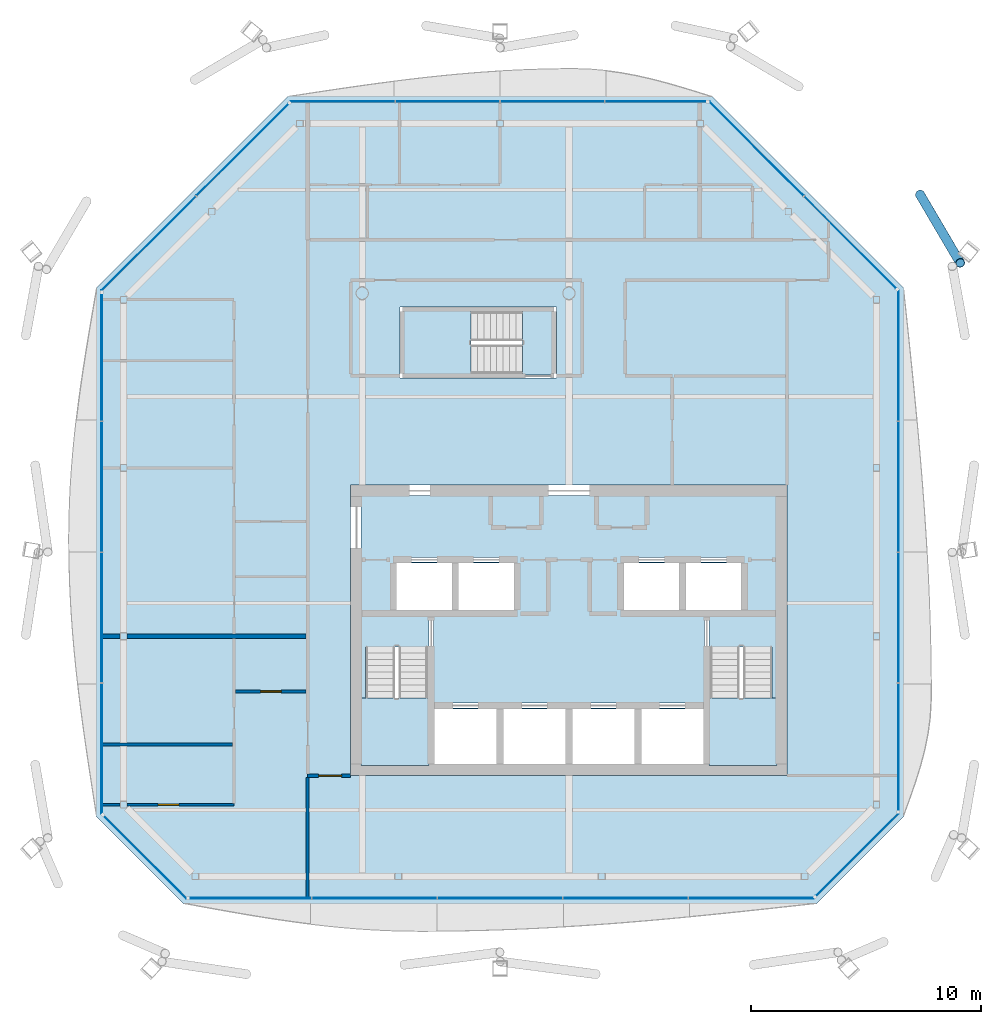
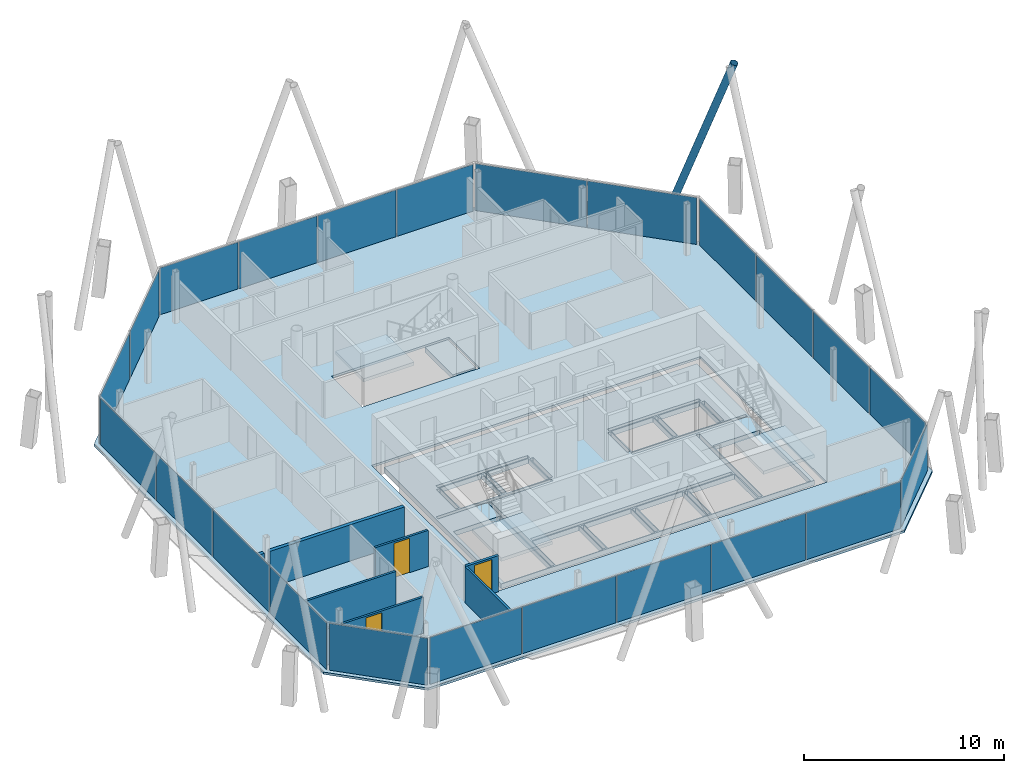
# One storey, part 9 of 16: 23 plates, 8 walls, 6 slabs, 3 doors, 1 member, 3 openings, 11 elements without a shape of their own.
"""IFC4 building model written with IfcOpenShell, lengths in metres."""

from ifc_helpers import new_model, si_unit, direction, frame, frame_2d, origin, origin_2d, place, context, subcontext, project, spatial, polyline, rectangle, hollow_circle, outline, extrude, material, layer, layer_set, material_profile, profile_set, type_object, element, fill, aggregate, save


model = new_model("IFC4")

# Units and contexts
model_context = context("Model", 3, precision=1e-05, world=origin(), true_north=direction((0.0, 1.0)))
body_context = subcontext(model_context, "Body", "Model", "MODEL_VIEW")
ifc_project = project(units=[si_unit("LENGTHUNIT", "METRE"), si_unit("AREAUNIT", "SQUARE_METRE"), si_unit("VOLUMEUNIT", "CUBIC_METRE"), si_unit("PLANEANGLEUNIT", "RADIAN"), si_unit("MASSUNIT", "GRAM", prefix="KILO")], contexts=[model_context])

# Site, building, storey
site_placement = place(None, origin())
site = spatial("IfcSite", under=ifc_project, at=site_placement, CompositionType="ELEMENT")
building_placement = place(site_placement, origin())
building = spatial("IfcBuilding", under=site, at=building_placement, Name="Tskaro Facet Tower", CompositionType="ELEMENT")
storey_placement = place(building_placement, frame((0.0, 0.0, 245.550048828125)))
storey = spatial("IfcBuildingStorey", under=building, at=storey_placement, Name="L64", CompositionType="ELEMENT", Elevation=245.550048828125)

# Member
ifc_material_1 = material(Name="Steel S355J2H", Category="steel")
ifc_material_profile = material_profile(ifc_material_1, hollow_circle(Radius=0.203125, WallThickness=0.02001953125, at=origin_2d()), Name="CHS 406.4x20")
ifc_profile_set = profile_set([ifc_material_profile], Name="Steel S355J2H")
member_type = type_object("IfcMemberType", Name="CHS 406.4x20 brace", PredefinedType="BRACE", material=ifc_profile_set)
member_placement = place(storey_placement, frame((15.286865234375, 13.296875, 0.0), z_axis=(0.173911453254, -0.295918818534, 0.939248028619), x_axis=(0.86213587545, 0.506677147958, 0.0)))
element("IfcMember", 1, at=member_placement, inside=storey, type_object=member_type, Name="CHS 406.4x20 XB06B/5", PredefinedType="BRACE", context=body_context, shape_type="SweptSolid", body=[
    extrude(hollow_circle(Radius=0.203125, WallThickness=0.02001953125, at=origin_2d()), origin(), (0.0, 0.0, 1.0), 10.061279296875),
])

# Slab
ifc_material_2 = material(Name="Concrete C30/37", Category="concrete")
ifc_layer_1 = layer(ifc_material_2, 0.139892578125, Name="Concrete C30/37")
ifc_layer_set_1 = layer_set([ifc_layer_1], Name="Concrete C30/37")
slab_type_1 = type_object("IfcSlabType", Name="Composite deck floor slab", PredefinedType="FLOOR", material=ifc_layer_set_1)
slab_1_placement = place(storey_placement, frame((0.0, 0.0, -0.14013671875)))
element("IfcSlab", 2, at=slab_1_placement, inside=storey, type_object=slab_type_1, Name="Floor slab FS3 L64", PredefinedType="FLOOR", context=body_context, shape_type="SweptSolid", body=[
    extrude(outline(polyline([(-16.764892578125, -17.591064453125), (10.764892578125, -17.591064453125), (14.591064453125, -13.764892578125), (14.591064453125, 9.221923828125), (6.221923828125, 17.591064453125), (-12.221923828125, 17.591064453125), (-20.591064453125, 9.221923828125), (-20.591064453125, -13.764892578125), (-16.764892578125, -17.591064453125)]), holes=[polyline([(-9.5, -12.0), (9.5, -12.0), (9.5, 0.64990234375), (-9.5, 0.64990234375), (-9.5, -12.0)]), polyline([(-7.35009765625, 5.300048828125), (-0.550048828125, 5.300048828125), (-0.550048828125, 8.39990234375), (-7.35009765625, 8.39990234375), (-7.35009765625, 5.300048828125)])]), origin(), (0.0, 0.0, 1.0), 0.14013671875),
])

# Curtain wall, plates
ifc_material_3 = material(Name="Bronze anodised aluminium 6063-T6", Category="aluminium")
curtain_wall_type = type_object("IfcCurtainWallType", Name="Bronze residence curtain wall (FW3)", PredefinedType="NOTDEFINED", material=ifc_material_3)
curtain_wall_1_placement = place(storey_placement, origin())
curtain_wall_1 = element("IfcCurtainWall", 3, at=curtain_wall_1_placement, inside=storey, type_object=curtain_wall_type, Name="FW3 south facet L64", PredefinedType="NOTDEFINED")
ifc_material_4 = material(Name="Bronze low-iron glass", Category="glass")
ifc_layer_2 = layer(ifc_material_4, 0.028076171875, Name="Bronze low-iron glass")
ifc_layer_set_2 = layer_set([ifc_layer_2], Name="Bronze low-iron glass")
plate_type = type_object("IfcPlateType", Name="FW3 bronze-tinted unit glazing 28", PredefinedType="CURTAIN_PANEL", material=ifc_layer_set_2)
plate_1_placement = place(storey_placement, frame((-13.871337890625, -17.341064453125, 0.0), z_axis=(0.0, 0.0, 1.0), x_axis=(1.0, 0.0, 0.0)))
plate_1 = element("IfcPlate", 4, at=plate_1_placement, type_object=plate_type, Name="FW3 south glazing 1.1", PredefinedType="CURTAIN_PANEL", context=body_context, shape_type="SweptSolid", body=[
    extrude(rectangle(XDim=5.29931640625, YDim=0.028076171875, at=origin_2d()), origin(), (0.0, 0.0, 1.0), 2.860107421875),
])
plate_2_placement = place(storey_placement, frame((-8.46435546875, -17.341064453125, 0.0), z_axis=(0.0, 0.0, 1.0), x_axis=(1.0, 0.0, 0.0)))
plate_2 = element("IfcPlate", 5, at=plate_2_placement, type_object=plate_type, Name="FW3 south glazing 2.1", PredefinedType="CURTAIN_PANEL", context=body_context, shape_type="SweptSolid", body=[
    extrude(rectangle(XDim=5.414306640625, YDim=0.028076171875, at=origin_2d()), origin(), (0.0, 0.0, 1.0), 2.860107421875),
])
plate_3_placement = place(storey_placement, frame((-3.0, -17.341064453125, 0.0), z_axis=(0.0, 0.0, 1.0), x_axis=(1.0, 0.0, 0.0)))
plate_3 = element("IfcPlate", 6, at=plate_3_placement, type_object=plate_type, Name="FW3 south glazing 3.1", PredefinedType="CURTAIN_PANEL", context=body_context, shape_type="SweptSolid", body=[
    extrude(rectangle(XDim=5.414306640625, YDim=0.028076171875, at=origin_2d()), origin(), (0.0, 0.0, 1.0), 2.860107421875),
])
plate_4_placement = place(storey_placement, frame((2.46435546875, -17.341064453125, 0.0), z_axis=(0.0, 0.0, 1.0), x_axis=(1.0, 0.0, 0.0)))
plate_4 = element("IfcPlate", 7, at=plate_4_placement, type_object=plate_type, Name="FW3 south glazing 4.1", PredefinedType="CURTAIN_PANEL", context=body_context, shape_type="SweptSolid", body=[
    extrude(rectangle(XDim=5.414306640625, YDim=0.028076171875, at=origin_2d()), origin(), (0.0, 0.0, 1.0), 2.860107421875),
])
plate_5_placement = place(storey_placement, frame((7.94140625, -17.341064453125, 0.0), z_axis=(0.0, 0.0, 1.0), x_axis=(1.0, 0.0, 0.0)))
plate_5 = element("IfcPlate", 8, at=plate_5_placement, type_object=plate_type, Name="FW3 south glazing 5.1", PredefinedType="CURTAIN_PANEL", context=body_context, shape_type="SweptSolid", body=[
    extrude(rectangle(XDim=5.439453125, YDim=0.028076171875, at=origin_2d()), origin(), (0.0, 0.0, 1.0), 2.860107421875),
])
aggregate(curtain_wall_1, [plate_1, plate_2, plate_3, plate_4, plate_5])

# Curtain wall, plate
curtain_wall_2_placement = place(storey_placement, origin())
curtain_wall_2 = element("IfcCurtainWall", 9, at=curtain_wall_2_placement, inside=storey, type_object=curtain_wall_type, Name="FW3 south-east facet L64", PredefinedType="NOTDEFINED")
plate_6_placement = place(storey_placement, frame((12.550537109375, -15.451416015625, 0.0), z_axis=(0.0, 0.0, 1.0), x_axis=(0.707106781187, 0.707106781187, 0.0)))
plate_6 = element("IfcPlate", 10, at=plate_6_placement, type_object=plate_type, Name="FW3 south-east glazing 1.1", PredefinedType="CURTAIN_PANEL", context=body_context, shape_type="SweptSolid", body=[
    extrude(rectangle(XDim=5.064208984375, YDim=0.028076171875, at=origin_2d()), origin(), (0.0, 0.0, 1.0), 2.860107421875),
])
aggregate(curtain_wall_2, [plate_6])

# Curtain wall, plates
curtain_wall_3_placement = place(storey_placement, origin())
curtain_wall_3 = element("IfcCurtainWall", 11, at=curtain_wall_3_placement, inside=storey, type_object=curtain_wall_type, Name="FW3 east facet L64", PredefinedType="NOTDEFINED")
plate_7_placement = place(storey_placement, frame((14.341064453125, -10.756103515625, 0.0), z_axis=(0.0, 0.0, 1.0), x_axis=(0.0, 1.0, 0.0)))
plate_7 = element("IfcPlate", 12, at=plate_7_placement, type_object=plate_type, Name="FW3 east glazing 1.1", PredefinedType="CURTAIN_PANEL", context=body_context, shape_type="SweptSolid", body=[
    extrude(rectangle(XDim=5.52978515625, YDim=0.028076171875, at=origin_2d()), origin(), (0.0, 0.0, 1.0), 2.860107421875),
])
plate_8_placement = place(storey_placement, frame((14.341064453125, -5.118896484375, 0.0), z_axis=(0.0, 0.0, 1.0), x_axis=(0.0, 1.0, 0.0)))
plate_8 = element("IfcPlate", 13, at=plate_8_placement, type_object=plate_type, Name="FW3 east glazing 2.1", PredefinedType="CURTAIN_PANEL", context=body_context, shape_type="SweptSolid", body=[
    extrude(rectangle(XDim=5.644775390625, YDim=0.028076171875, at=origin_2d()), origin(), (0.0, 0.0, 1.0), 2.860107421875),
])
plate_9_placement = place(storey_placement, frame((14.341064453125, 0.575927734375, 0.0), z_axis=(0.0, 0.0, 1.0), x_axis=(0.0, 1.0, 0.0)))
plate_9 = element("IfcPlate", 14, at=plate_9_placement, type_object=plate_type, Name="FW3 east glazing 3.1", PredefinedType="CURTAIN_PANEL", context=body_context, shape_type="SweptSolid", body=[
    extrude(rectangle(XDim=5.644775390625, YDim=0.028076171875, at=origin_2d()), origin(), (0.0, 0.0, 1.0), 2.860107421875),
])
plate_10_placement = place(storey_placement, frame((14.341064453125, 6.283203125, 0.0), z_axis=(0.0, 0.0, 1.0), x_axis=(0.0, 1.0, 0.0)))
plate_10 = element("IfcPlate", 15, at=plate_10_placement, type_object=plate_type, Name="FW3 east glazing 4.1", PredefinedType="CURTAIN_PANEL", context=body_context, shape_type="SweptSolid", body=[
    extrude(rectangle(XDim=5.669677734375, YDim=0.028076171875, at=origin_2d()), origin(), (0.0, 0.0, 1.0), 2.860107421875),
])
aggregate(curtain_wall_3, [plate_7, plate_8, plate_9, plate_10])

curtain_wall_4_placement = place(storey_placement, origin())
curtain_wall_4 = element("IfcCurtainWall", 16, at=curtain_wall_4_placement, inside=storey, type_object=curtain_wall_type, Name="FW3 north-east facet L64", PredefinedType="NOTDEFINED")
plate_11_placement = place(storey_placement, frame((12.24462890625, 11.21435546875, 0.0), z_axis=(0.0, 0.0, 1.0), x_axis=(-0.707106781187, 0.707106781187, 0.0)))
plate_11 = element("IfcPlate", 17, at=plate_11_placement, type_object=plate_type, Name="FW3 north-east glazing 1.1", PredefinedType="CURTAIN_PANEL", context=body_context, shape_type="SweptSolid", body=[
    extrude(rectangle(XDim=5.649658203125, YDim=0.028076171875, at=origin_2d()), origin(), (0.0, 0.0, 1.0), 2.860107421875),
])
plate_12_placement = place(storey_placement, frame((8.164794921875, 15.294189453125, 0.0), z_axis=(0.0, 0.0, 1.0), x_axis=(-0.707106781187, 0.707106781187, 0.0)))
plate_12 = element("IfcPlate", 18, at=plate_12_placement, type_object=plate_type, Name="FW3 north-east glazing 2.1", PredefinedType="CURTAIN_PANEL", context=body_context, shape_type="SweptSolid", body=[
    extrude(rectangle(XDim=5.78955078125, YDim=0.028076171875, at=origin_2d()), origin(), (0.0, 0.0, 1.0), 2.860107421875),
])
aggregate(curtain_wall_4, [plate_11, plate_12])

curtain_wall_5_placement = place(storey_placement, origin())
curtain_wall_5 = element("IfcCurtainWall", 19, at=curtain_wall_5_placement, inside=storey, type_object=curtain_wall_type, Name="FW3 north facet L64", PredefinedType="NOTDEFINED")
plate_13_placement = place(storey_placement, frame((3.781005859375, 17.341064453125, 0.0), z_axis=(0.0, 0.0, 1.0), x_axis=(-1.0, 0.0, 0.0)))
plate_13 = element("IfcPlate", 20, at=plate_13_placement, type_object=plate_type, Name="FW3 north glazing 1.1", PredefinedType="CURTAIN_PANEL", context=body_context, shape_type="SweptSolid", body=[
    extrude(rectangle(XDim=4.39404296875, YDim=0.028076171875, at=origin_2d()), origin(), (0.0, 0.0, 1.0), 2.860107421875),
])
plate_14_placement = place(storey_placement, frame((-0.720458984375, 17.341064453125, 0.0), z_axis=(0.0, 0.0, 1.0), x_axis=(-1.0, 0.0, 0.0)))
plate_14 = element("IfcPlate", 21, at=plate_14_placement, type_object=plate_type, Name="FW3 north glazing 2.1", PredefinedType="CURTAIN_PANEL", context=body_context, shape_type="SweptSolid", body=[
    extrude(rectangle(XDim=4.509033203125, YDim=0.028076171875, at=origin_2d()), origin(), (0.0, 0.0, 1.0), 2.860107421875),
])
plate_15_placement = place(storey_placement, frame((-5.279541015625, 17.341064453125, 0.0), z_axis=(0.0, 0.0, 1.0), x_axis=(-1.0, 0.0, 0.0)))
plate_15 = element("IfcPlate", 22, at=plate_15_placement, type_object=plate_type, Name="FW3 north glazing 3.1", PredefinedType="CURTAIN_PANEL", context=body_context, shape_type="SweptSolid", body=[
    extrude(rectangle(XDim=4.509033203125, YDim=0.028076171875, at=origin_2d()), origin(), (0.0, 0.0, 1.0), 2.860107421875),
])
plate_16_placement = place(storey_placement, frame((-9.85107421875, 17.341064453125, 0.0), z_axis=(0.0, 0.0, 1.0), x_axis=(-1.0, 0.0, 0.0)))
plate_16 = element("IfcPlate", 23, at=plate_16_placement, type_object=plate_type, Name="FW3 north glazing 4.1", PredefinedType="CURTAIN_PANEL", context=body_context, shape_type="SweptSolid", body=[
    extrude(rectangle(XDim=4.533935546875, YDim=0.028076171875, at=origin_2d()), origin(), (0.0, 0.0, 1.0), 2.860107421875),
])
aggregate(curtain_wall_5, [plate_13, plate_14, plate_15, plate_16])

curtain_wall_6_placement = place(storey_placement, origin())
curtain_wall_6 = element("IfcCurtainWall", 24, at=curtain_wall_6_placement, inside=storey, type_object=curtain_wall_type, Name="FW3 north-west facet L64", PredefinedType="NOTDEFINED")
plate_17_placement = place(storey_placement, frame((-14.21435546875, 15.24462890625, 0.0), z_axis=(0.0, 0.0, 1.0), x_axis=(-0.707106781187, -0.707106781187, 0.0)))
plate_17 = element("IfcPlate", 25, at=plate_17_placement, type_object=plate_type, Name="FW3 north-west glazing 1.1", PredefinedType="CURTAIN_PANEL", context=body_context, shape_type="SweptSolid", body=[
    extrude(rectangle(XDim=5.649658203125, YDim=0.028076171875, at=origin_2d()), origin(), (0.0, 0.0, 1.0), 2.860107421875),
])
plate_18_placement = place(storey_placement, frame((-18.294189453125, 11.164794921875, 0.0), z_axis=(0.0, 0.0, 1.0), x_axis=(-0.707106781187, -0.707106781187, 0.0)))
plate_18 = element("IfcPlate", 26, at=plate_18_placement, type_object=plate_type, Name="FW3 north-west glazing 2.1", PredefinedType="CURTAIN_PANEL", context=body_context, shape_type="SweptSolid", body=[
    extrude(rectangle(XDim=5.78955078125, YDim=0.028076171875, at=origin_2d()), origin(), (0.0, 0.0, 1.0), 2.860107421875),
])
aggregate(curtain_wall_6, [plate_17, plate_18])

curtain_wall_7_placement = place(storey_placement, origin())
curtain_wall_7 = element("IfcCurtainWall", 27, at=curtain_wall_7_placement, inside=storey, type_object=curtain_wall_type, Name="FW3 west facet L64", PredefinedType="NOTDEFINED")
plate_19_placement = place(storey_placement, frame((-20.341064453125, 6.213134765625, 0.0), z_axis=(0.0, 0.0, 1.0), x_axis=(0.0, -1.0, 0.0)))
plate_19 = element("IfcPlate", 28, at=plate_19_placement, type_object=plate_type, Name="FW3 west glazing 1.1", PredefinedType="CURTAIN_PANEL", context=body_context, shape_type="SweptSolid", body=[
    extrude(rectangle(XDim=5.52978515625, YDim=0.028076171875, at=origin_2d()), origin(), (0.0, 0.0, 1.0), 2.860107421875),
])
plate_20_placement = place(storey_placement, frame((-20.341064453125, 0.575927734375, 0.0), z_axis=(0.0, 0.0, 1.0), x_axis=(0.0, -1.0, 0.0)))
plate_20 = element("IfcPlate", 29, at=plate_20_placement, type_object=plate_type, Name="FW3 west glazing 2.1", PredefinedType="CURTAIN_PANEL", context=body_context, shape_type="SweptSolid", body=[
    extrude(rectangle(XDim=5.644775390625, YDim=0.028076171875, at=origin_2d()), origin(), (0.0, 0.0, 1.0), 2.860107421875),
])
plate_21_placement = place(storey_placement, frame((-20.341064453125, -5.118896484375, 0.0), z_axis=(0.0, 0.0, 1.0), x_axis=(0.0, -1.0, 0.0)))
plate_21 = element("IfcPlate", 30, at=plate_21_placement, type_object=plate_type, Name="FW3 west glazing 3.1", PredefinedType="CURTAIN_PANEL", context=body_context, shape_type="SweptSolid", body=[
    extrude(rectangle(XDim=5.644775390625, YDim=0.028076171875, at=origin_2d()), origin(), (0.0, 0.0, 1.0), 2.860107421875),
])
plate_22_placement = place(storey_placement, frame((-20.341064453125, -10.826171875, 0.0), z_axis=(0.0, 0.0, 1.0), x_axis=(0.0, -1.0, 0.0)))
plate_22 = element("IfcPlate", 31, at=plate_22_placement, type_object=plate_type, Name="FW3 west glazing 4.1", PredefinedType="CURTAIN_PANEL", context=body_context, shape_type="SweptSolid", body=[
    extrude(rectangle(XDim=5.669677734375, YDim=0.028076171875, at=origin_2d()), origin(), (0.0, 0.0, 1.0), 2.860107421875),
])
aggregate(curtain_wall_7, [plate_19, plate_20, plate_21, plate_22])

# Curtain wall, plate
curtain_wall_8_placement = place(storey_placement, origin())
curtain_wall_8 = element("IfcCurtainWall", 32, at=curtain_wall_8_placement, inside=storey, type_object=curtain_wall_type, Name="FW3 south-west facet L64", PredefinedType="NOTDEFINED")
plate_23_placement = place(storey_placement, frame((-18.451416015625, -15.550537109375, 0.0), z_axis=(0.0, 0.0, 1.0), x_axis=(0.707106781187, -0.707106781187, 0.0)))
plate_23 = element("IfcPlate", 33, at=plate_23_placement, type_object=plate_type, Name="FW3 south-west glazing 1.1", PredefinedType="CURTAIN_PANEL", context=body_context, shape_type="SweptSolid", body=[
    extrude(rectangle(XDim=5.064208984375, YDim=0.028076171875, at=origin_2d()), origin(), (0.0, 0.0, 1.0), 2.860107421875),
])
aggregate(curtain_wall_8, [plate_23])

# Stair, slab
ifc_material_5 = material(Name="Concrete C40/50", Category="concrete")
stair_type = type_object("IfcStairType", Name="ST-TWR", PredefinedType="HALF_TURN_STAIR", material=ifc_material_5)
stair_1_placement = place(storey_placement, origin())
stair_1 = element("IfcStair", 34, at=stair_1_placement, inside=storey, type_object=stair_type, Name="L64 Exit stair 1", PredefinedType="HALF_TURN_STAIR")
ifc_layer_3 = layer(ifc_material_5, 0.199951171875, Name="Concrete C40/50")
ifc_layer_set_3 = layer_set([ifc_layer_3], Name="Concrete C40/50")
slab_type_2 = type_object("IfcSlabType", Name="SL-LANDING", PredefinedType="LANDING", material=ifc_layer_set_3)
slab_2_placement = place(storey_placement, frame((0.0, 0.0, 1.375)))
slab_2 = element("IfcSlab", 35, at=slab_2_placement, type_object=slab_type_2, Name="ST-1 landing 1", PredefinedType="LANDING", context=body_context, shape_type="SweptSolid", body=[
    extrude(outline(polyline([(-9.050048828125, -11.550048828125), (-6.10009765625, -11.550048828125), (-6.10009765625, -8.614990234375), (-9.050048828125, -8.614990234375), (-9.050048828125, -11.550048828125)])), origin(), (0.0, 0.0, 1.0), 0.199951171875),
])
aggregate(stair_1, [slab_2])

stair_2_placement = place(storey_placement, origin())
stair_2 = element("IfcStair", 36, at=stair_2_placement, inside=storey, type_object=stair_type, Name="L64 Exit stair 2", PredefinedType="HALF_TURN_STAIR")
slab_3_placement = place(storey_placement, frame((0.0, 0.0, 1.375)))
slab_3 = element("IfcSlab", 37, at=slab_3_placement, type_object=slab_type_2, Name="ST-2 landing 1", PredefinedType="LANDING", context=body_context, shape_type="SweptSolid", body=[
    extrude(outline(polyline([(6.10009765625, -11.550048828125), (9.050048828125, -11.550048828125), (9.050048828125, -8.614990234375), (6.10009765625, -8.614990234375), (6.10009765625, -11.550048828125)])), origin(), (0.0, 0.0, 1.0), 0.199951171875),
])
aggregate(stair_2, [slab_3])

stair_3_placement = place(storey_placement, origin())
stair_3 = element("IfcStair", 38, at=stair_3_placement, inside=storey, type_object=stair_type, Name="L64 Exit stair 3", PredefinedType="HALF_TURN_STAIR")
slab_4_placement = place(storey_placement, frame((0.0, 0.0, 1.375)))
slab_4 = element("IfcSlab", 39, at=slab_4_placement, type_object=slab_type_2, Name="ST-3 landing 1", PredefinedType="LANDING", context=body_context, shape_type="SweptSolid", body=[
    extrude(outline(polyline([(-7.199951171875, 5.449951171875), (-4.264892578125, 5.449951171875), (-4.264892578125, 8.25), (-7.199951171875, 8.25), (-7.199951171875, 5.449951171875)])), origin(), (0.0, 0.0, 1.0), 0.199951171875),
])
aggregate(stair_3, [slab_4])

# Slabs
ifc_material_6 = material(Name="Concrete C60/75", Category="concrete")
ifc_layer_4 = layer(ifc_material_6, 0.300048828125, Name="Concrete C60/75")
ifc_layer_set_4 = layer_set([ifc_layer_4], Name="Concrete C60/75")
slab_type_3 = type_object("IfcSlabType", Name="SLAB-CORE", PredefinedType="FLOOR", material=ifc_layer_set_4)
slab_5_placement = place(storey_placement, frame((0.0, 0.0, -0.300048828125)))
element("IfcSlab", 40, at=slab_5_placement, inside=storey, type_object=slab_type_3, Name="Core floor slab 1", PredefinedType="FLOOR", context=body_context, shape_type="SweptSolid", body=[
    extrude(outline(polyline([(-9.050048828125, 0.199951171875), (9.050048828125, 0.199951171875), (9.050048828125, 0.10009765625), (9.050048828125, -11.449951171875), (9.050048828125, -11.550048828125), (-9.050048828125, -11.550048828125), (-9.050048828125, -11.449951171875), (-9.050048828125, 0.10009765625), (-9.050048828125, 0.199951171875)]), holes=[polyline([(-5.85009765625, -9.10009765625), (-5.85009765625, -11.5), (-3.14990234375, -11.5), (-3.14990234375, -9.10009765625), (-5.85009765625, -9.10009765625)]), polyline([(-3.10009765625, -11.449951171875), (-2.89990234375, -11.449951171875), (-2.89990234375, -9.14990234375), (-3.10009765625, -9.14990234375), (-3.10009765625, -11.449951171875)]), polyline([(-2.85009765625, -9.10009765625), (-2.85009765625, -11.5), (-0.14990234375, -11.5), (-0.14990234375, -9.10009765625), (-2.85009765625, -9.10009765625)]), polyline([(-6.10009765625, -11.449951171875), (-5.89990234375, -11.449951171875), (-5.89990234375, -5.14990234375), (-6.10009765625, -5.14990234375), (-6.10009765625, -11.449951171875)]), polyline([(-8.949951171875, -5.050048828125), (-2.300048828125, -5.050048828125), (-2.300048828125, -4.85009765625), (-8.949951171875, -4.85009765625), (-8.949951171875, -5.050048828125)]), polyline([(-7.75, -4.75), (-7.550048828125, -4.75), (-7.550048828125, -2.800048828125), (-7.75, -2.800048828125), (-7.75, -4.75)]), polyline([(-7.5, -2.75), (-7.5, -4.800048828125), (-5.10009765625, -4.800048828125), (-5.10009765625, -2.75), (-7.5, -2.75)]), polyline([(-5.050048828125, -4.75), (-4.85009765625, -4.75), (-4.85009765625, -2.800048828125), (-5.050048828125, -2.800048828125), (-5.050048828125, -4.75)]), polyline([(-2.39990234375, -2.75), (-4.800048828125, -2.75), (-4.800048828125, -4.800048828125), (-2.39990234375, -4.800048828125), (-2.39990234375, -2.75)]), polyline([(-2.35009765625, -4.75), (-2.14990234375, -4.75), (-2.14990234375, -2.800048828125), (-2.35009765625, -2.800048828125), (-2.35009765625, -4.75)]), polyline([(-7.60009765625, -2.699951171875), (-2.300048828125, -2.699951171875), (-2.300048828125, -2.5), (-7.60009765625, -2.5), (-7.60009765625, -2.699951171875)]), polyline([(-0.10009765625, -11.449951171875), (0.10009765625, -11.449951171875), (0.10009765625, -9.14990234375), (-0.10009765625, -9.14990234375), (-0.10009765625, -11.449951171875)]), polyline([(0.14990234375, -9.10009765625), (0.14990234375, -11.5), (2.85009765625, -11.5), (2.85009765625, -9.10009765625), (0.14990234375, -9.10009765625)]), polyline([(2.89990234375, -11.449951171875), (3.10009765625, -11.449951171875), (3.10009765625, -9.14990234375), (2.89990234375, -9.14990234375), (2.89990234375, -11.449951171875)]), polyline([(3.14990234375, -9.10009765625), (3.14990234375, -11.5), (5.85009765625, -11.5), (5.85009765625, -9.10009765625), (3.14990234375, -9.10009765625)]), polyline([(-5.800048828125, -9.050048828125), (5.800048828125, -9.050048828125), (5.800048828125, -8.85009765625), (-5.800048828125, -8.85009765625), (-5.800048828125, -9.050048828125)]), polyline([(5.89990234375, -11.449951171875), (6.10009765625, -11.449951171875), (6.10009765625, -5.14990234375), (5.89990234375, -5.14990234375), (5.89990234375, -11.449951171875)]), polyline([(2.300048828125, -5.050048828125), (8.949951171875, -5.050048828125), (8.949951171875, -4.85009765625), (2.300048828125, -4.85009765625), (2.300048828125, -5.050048828125)]), polyline([(2.14990234375, -4.75), (2.35009765625, -4.75), (2.35009765625, -2.800048828125), (2.14990234375, -2.800048828125), (2.14990234375, -4.75)]), polyline([(2.39990234375, -4.800048828125), (4.800048828125, -4.800048828125), (4.800048828125, -2.75), (2.39990234375, -2.75), (2.39990234375, -4.800048828125)]), polyline([(4.85009765625, -4.75), (5.050048828125, -4.75), (5.050048828125, -2.800048828125), (4.85009765625, -2.800048828125), (4.85009765625, -4.75)]), polyline([(5.10009765625, -4.800048828125), (7.5, -4.800048828125), (7.5, -2.75), (5.10009765625, -2.75), (5.10009765625, -4.800048828125)]), polyline([(7.550048828125, -4.75), (7.75, -4.75), (7.75, -2.800048828125), (7.550048828125, -2.800048828125), (7.550048828125, -4.75)]), polyline([(2.300048828125, -2.699951171875), (7.60009765625, -2.699951171875), (7.60009765625, -2.5), (2.300048828125, -2.5), (2.300048828125, -2.699951171875)]), polyline([(-8.85009765625, -11.5), (-6.14990234375, -11.5), (-6.14990234375, -6.39501953125), (-8.85009765625, -6.39501953125), (-8.85009765625, -11.5)]), polyline([(6.14990234375, -6.39501953125), (6.14990234375, -11.5), (8.85009765625, -11.5), (8.85009765625, -6.39501953125), (6.14990234375, -6.39501953125)])]), origin(), (0.0, 0.0, 1.0), 0.300048828125),
])
slab_6_placement = place(storey_placement, frame((0.0, 0.0, -0.300048828125)))
element("IfcSlab", 41, at=slab_6_placement, inside=storey, type_object=slab_type_3, Name="Stair 3 floor landing 1", PredefinedType="FLOOR", context=body_context, shape_type="SweptSolid", body=[
    extrude(outline(polyline([(-2.02490234375, 5.449951171875), (-0.699951171875, 5.449951171875), (-0.699951171875, 8.25), (-2.02490234375, 8.25), (-2.02490234375, 5.449951171875)])), origin(), (0.0, 0.0, 1.0), 0.300048828125),
])

# Wall
ifc_material_7 = material(Name="Gypsum board on steel studs", Category="steel")
ifc_layer_5 = layer(ifc_material_7, 0.125, Name="Gypsum board on steel studs")
ifc_layer_set_5 = layer_set([ifc_layer_5], Name="Gypsum board on steel studs")
wall_type_1 = type_object("IfcWallType", Name="PART", PredefinedType="PARTITIONING", material=ifc_layer_set_5)
wall_1_placement = place(storey_placement, frame((-20.2900390625, -13.27001953125, 0.0), z_axis=(0.0, 0.0, 1.0), x_axis=(1.0, 0.0, 0.0)))
element("IfcWall", 42, at=wall_1_placement, inside=storey, type_object=wall_type_1, Name="Partition W001", PredefinedType="PARTITIONING", context=body_context, shape_type="SweptSolid", body=[
    extrude(rectangle(XDim=0.7490234375, YDim=0.125, at=frame_2d((0.37451171875, 0.0))), origin(), (0.0, 0.0, 1.0), 2.2099609375),
])

# Wall, opening, door
wall_2_placement = place(storey_placement, frame((-19.240966796875, -13.27001953125, 0.0), z_axis=(0.0, 0.0, 1.0), x_axis=(1.0, 0.0, 0.0)))
wall_2 = element("IfcWall", 43, at=wall_2_placement, inside=storey, type_object=wall_type_1, Name="Partition W002", PredefinedType="PARTITIONING", context=body_context, shape_type="SweptSolid", body=[
    extrude(rectangle(XDim=4.666015625, YDim=0.125, at=frame_2d((2.3330078125, 0.0))), origin(), (0.0, 0.0, 1.0), 2.2099609375),
])
opening_1_placement = place(wall_2_placement, frame((1.3583984375, 0.0, 0.0)))
opening_1 = element("IfcOpeningElement", 44, at=opening_1_placement, cuts=wall_2, Name="Opening T19-D01", PredefinedType="OPENING", context=body_context, shape_type="SweptSolid", body=[
    extrude(rectangle(XDim=0.89990234375, YDim=2.10009765625, at=frame_2d((0.449951171875, 1.050048828125))), frame((0.0, 0.072509765625, 0.0), z_axis=(0.0, -1.0, 0.0), x_axis=(1.0, 0.0, 0.0)), (0.0, 0.0, 1.0), 0.14501953125),
])
ifc_material_8 = material(Name="Timber", Category="wood")
door_type_1 = type_object("IfcDoorType", Name="D-ROOM", OperationType="NOTDEFINED", PredefinedType="DOOR", material=ifc_material_8)
door_1_placement = place(opening_1_placement, origin())
door_1 = element("IfcDoor", 45, at=door_1_placement, inside=storey, type_object=door_type_1, Name="Door T19-D01", OperationType="SINGLE_SWING_RIGHT", OverallHeight=2.10009765625, OverallWidth=0.89990234375, PredefinedType="DOOR", context=body_context, shape_type="SweptSolid", body=[
    extrude(rectangle(XDim=0.89990234375, YDim=2.10009765625, at=frame_2d((0.449951171875, 1.050048828125))), frame((0.0, 0.02490234375, 0.0), z_axis=(0.0, -1.0, 0.0), x_axis=(1.0, 0.0, 0.0)), (0.0, 0.0, 1.0), 0.050048828125),
])
fill(opening_1, door_1)

# Wall
wall_3_placement = place(storey_placement, frame((-20.2900390625, -10.639892578125, 0.0), z_axis=(0.0, 0.0, 1.0), x_axis=(1.0, 0.0, 0.0)))
element("IfcWall", 46, at=wall_3_placement, inside=storey, type_object=wall_type_1, Name="Partition W005", PredefinedType="PARTITIONING", context=body_context, shape_type="SweptSolid", body=[
    extrude(rectangle(XDim=5.652587890625, YDim=0.125, at=frame_2d((2.826171875, 0.0))), origin(), (0.0, 0.0, 1.0), 2.2099609375),
])

# Wall, opening, door
wall_4_placement = place(storey_placement, frame((-14.512451171875, -8.340087890625, 0.0), z_axis=(0.0, 0.0, 1.0), x_axis=(1.0, 0.0, 0.0)))
wall_4 = element("IfcWall", 47, at=wall_4_placement, inside=storey, type_object=wall_type_1, Name="Partition W007", PredefinedType="PARTITIONING", context=body_context, shape_type="SweptSolid", body=[
    extrude(rectangle(XDim=3.0625, YDim=0.125, at=frame_2d((1.53125, 0.0))), origin(), (0.0, 0.0, 1.0), 2.2099609375),
])
opening_2_placement = place(wall_4_placement, frame((1.08740234375, 0.0, 0.0)))
opening_2 = element("IfcOpeningElement", 48, at=opening_2_placement, cuts=wall_4, Name="Opening T19-D05", PredefinedType="OPENING", context=body_context, shape_type="SweptSolid", body=[
    extrude(rectangle(XDim=0.89990234375, YDim=2.10009765625, at=frame_2d((0.449951171875, 1.050048828125))), frame((0.0, 0.072509765625, 0.0), z_axis=(0.0, -1.0, 0.0), x_axis=(1.0, 0.0, 0.0)), (0.0, 0.0, 1.0), 0.14501953125),
])
door_2_placement = place(opening_2_placement, origin())
door_2 = element("IfcDoor", 49, at=door_2_placement, inside=storey, type_object=door_type_1, Name="Door T19-D05", OperationType="SINGLE_SWING_LEFT", OverallHeight=2.10009765625, OverallWidth=0.89990234375, PredefinedType="DOOR", context=body_context, shape_type="SweptSolid", body=[
    extrude(rectangle(XDim=0.89990234375, YDim=2.10009765625, at=frame_2d((0.449951171875, 1.050048828125))), frame((0.0, 0.02490234375, 0.0), z_axis=(0.0, -1.0, 0.0), x_axis=(1.0, 0.0, 0.0)), (0.0, 0.0, 1.0), 0.050048828125),
])
fill(opening_2, door_2)

# Wall
wall_5_placement = place(storey_placement, frame((-11.375, -17.2900390625, 0.0), z_axis=(0.0, 0.0, 1.0), x_axis=(0.0, 1.0, 0.0)))
element("IfcWall", 50, at=wall_5_placement, inside=storey, type_object=wall_type_1, Name="Partition W040", PredefinedType="PARTITIONING", context=body_context, shape_type="SweptSolid", body=[
    extrude(rectangle(XDim=5.215087890625, YDim=0.125, at=frame_2d((2.607421875, 0.0))), origin(), (0.0, 0.0, 1.0), 2.2099609375),
])

# Wall, opening, door
ifc_layer_6 = layer(ifc_material_7, 0.14990234375, Name="Gypsum board on steel studs")
ifc_layer_set_6 = layer_set([ifc_layer_6], Name="Gypsum board on steel studs")
wall_type_2 = type_object("IfcWallType", Name="PART-CORR", PredefinedType="PARTITIONING", material=ifc_layer_set_6)
wall_6_placement = place(storey_placement, frame((-9.5, -12.0, 0.0), z_axis=(0.0, 0.0, 1.0), x_axis=(-1.0, 0.0, 0.0)))
wall_6 = element("IfcWall", 51, at=wall_6_placement, inside=storey, type_object=wall_type_2, Name="Corridor wall W003", PredefinedType="PARTITIONING", context=body_context, shape_type="SweptSolid", body=[
    extrude(rectangle(XDim=1.875, YDim=0.14990234375, at=frame_2d((0.9375, 0.0))), origin(), (0.0, 0.0, 1.0), 2.2099609375),
])
opening_3_placement = place(wall_6_placement, frame((0.39990234375, 0.0, 0.0)))
opening_3 = element("IfcOpeningElement", 52, at=opening_3_placement, cuts=wall_6, Name="Opening T19-D02", PredefinedType="OPENING", context=body_context, shape_type="SweptSolid", body=[
    extrude(rectangle(XDim=1.0, YDim=2.10009765625, at=frame_2d((0.5, 1.050048828125))), frame((0.0, 0.0849609375, 0.0), z_axis=(0.0, -1.0, 0.0), x_axis=(1.0, 0.0, 0.0)), (0.0, 0.0, 1.0), 0.169921875),
])
door_type_2 = type_object("IfcDoorType", Name="D-ROOM-WIDE", OperationType="NOTDEFINED", PredefinedType="DOOR", material=ifc_material_8)
door_3_placement = place(opening_3_placement, origin())
door_3 = element("IfcDoor", 53, at=door_3_placement, inside=storey, type_object=door_type_2, Name="Door T19-D02", OperationType="SINGLE_SWING_RIGHT", OverallHeight=2.10009765625, OverallWidth=1.0, PredefinedType="DOOR", context=body_context, shape_type="SweptSolid", body=[
    extrude(rectangle(XDim=1.0, YDim=2.10009765625, at=frame_2d((0.5, 1.050048828125))), frame((0.0, 0.02490234375, 0.0), z_axis=(0.0, -1.0, 0.0), x_axis=(1.0, 0.0, 0.0)), (0.0, 0.0, 1.0), 0.050048828125),
])
fill(opening_3, door_3)

# Walls
ifc_layer_7 = layer(ifc_material_7, 0.199951171875, Name="Gypsum board on steel studs")
ifc_layer_set_7 = layer_set([ifc_layer_7], Name="Gypsum board on steel studs")
wall_type_3 = type_object("IfcWallType", Name="PART-DEMISING", PredefinedType="PARTITIONING", material=ifc_layer_set_7)
wall_7_placement = place(storey_placement, frame((-20.2900390625, -5.93994140625, 0.0), z_axis=(0.0, 0.0, 1.0), x_axis=(1.0, 0.0, 0.0)))
element("IfcWall", 54, at=wall_7_placement, inside=storey, type_object=wall_type_3, Name="Guest room wall W008", PredefinedType="PARTITIONING", context=body_context, shape_type="SweptSolid", body=[
    extrude(rectangle(XDim=0.7490234375, YDim=0.199951171875, at=frame_2d((0.37451171875, 0.0))), origin(), (0.0, 0.0, 1.0), 2.2099609375),
])
wall_8_placement = place(storey_placement, frame((-19.240966796875, -5.93994140625, 0.0), z_axis=(0.0, 0.0, 1.0), x_axis=(1.0, 0.0, 0.0)))
element("IfcWall", 55, at=wall_8_placement, inside=storey, type_object=wall_type_3, Name="Guest room wall W009", PredefinedType="PARTITIONING", context=body_context, shape_type="SweptSolid", body=[
    extrude(rectangle(XDim=7.791015625, YDim=0.199951171875, at=frame_2d((3.8955078125, 0.0))), origin(), (0.0, 0.0, 1.0), 2.2099609375),
])

save(model, "model.ifc")
